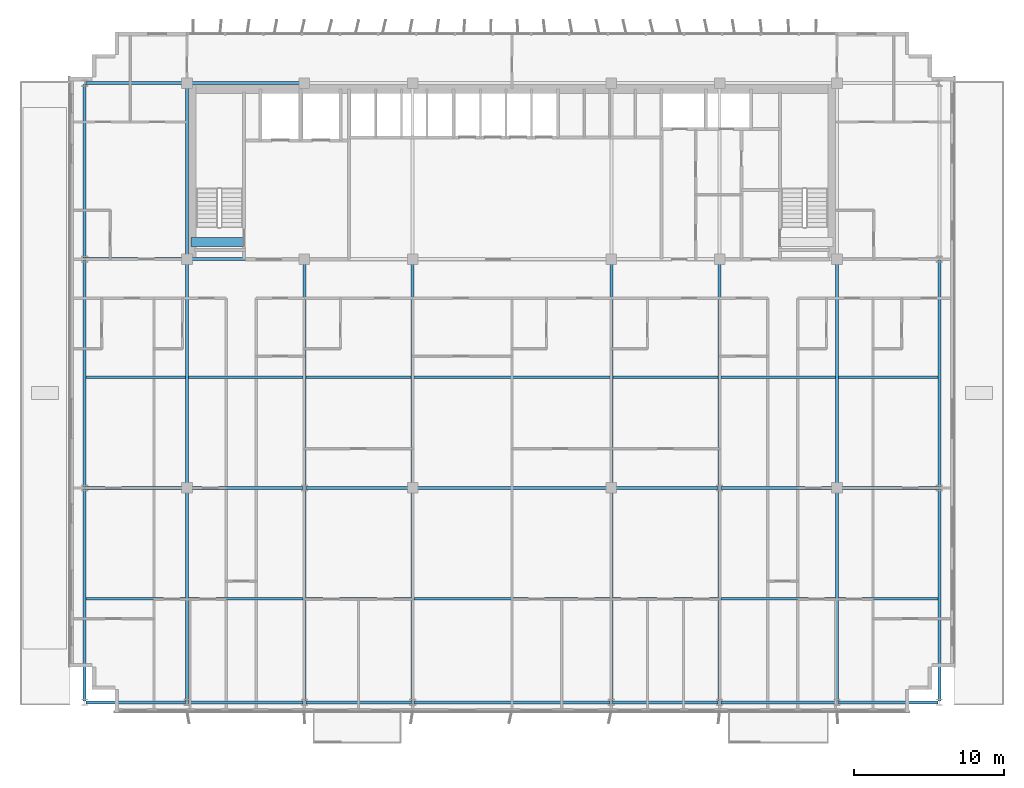
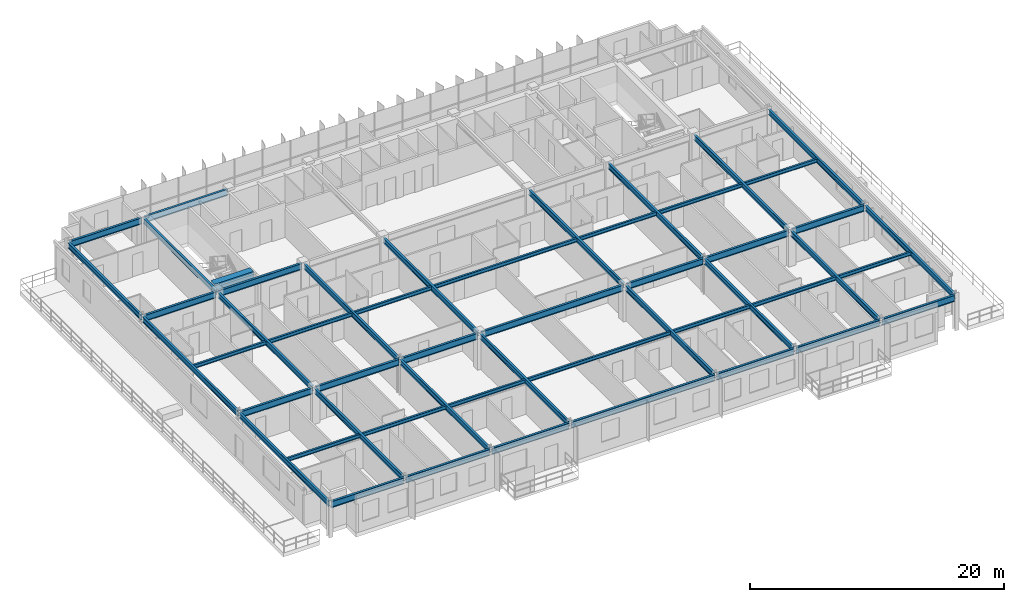
# One storey, part 3 of 22: 51 beams.
"""IFC4 building model written with IfcOpenShell, lengths in metres."""

from ifc_helpers import new_model, si_unit, direction, frame, origin, origin_2d, place, context, subcontext, project, spatial, rectangle, i_section, extrude, source, transform, mapped, material, material_profile, profile_set, type_object, element, save


model = new_model("IFC4")

# Units and contexts
model_context = context("Model", 3, precision=1e-05, world=origin(), true_north=direction((0.0, 1.0)))
body_context = subcontext(model_context, "Body", "Model", "MODEL_VIEW")
ifc_project = project(units=[si_unit("LENGTHUNIT", "METRE"), si_unit("AREAUNIT", "SQUARE_METRE"), si_unit("VOLUMEUNIT", "CUBIC_METRE"), si_unit("PLANEANGLEUNIT", "RADIAN"), si_unit("MASSUNIT", "GRAM", prefix="KILO")], contexts=[model_context])

# Site, building, storey
site_placement = place(None, origin())
site = spatial("IfcSite", under=ifc_project, at=site_placement, CompositionType="ELEMENT")
building_placement = place(site_placement, origin())
building = spatial("IfcBuilding", under=site, at=building_placement, Name="Trelvane Seafront Commons", CompositionType="ELEMENT")
storey_placement = place(building_placement, frame((0.0, 0.0, 132.10009765625)))
storey = spatial("IfcBuildingStorey", under=building, at=storey_placement, Name="L34", CompositionType="ELEMENT", Elevation=132.10009765625)

# Beams
ifc_material_1 = material(Name="Concrete C60/75", Category="concrete")
ifc_material_profile_1 = material_profile(ifc_material_1, rectangle(XDim=0.60009765625, YDim=0.89990234375, at=origin_2d()), Name="RC-600x900")
ifc_profile_set_1 = profile_set([ifc_material_profile_1], Name="Concrete C60/75")
beam_type_1 = type_object("IfcBeamType", Name="STR-LNT-RC600x900", PredefinedType="LINTEL", material=ifc_profile_set_1)
shared_shape_1 = source(origin(), body_context, "Body", "SweptSolid", [
    extrude(rectangle(XDim=0.60009765625, YDim=0.89990234375, at=origin_2d()), origin(), (0.0, 0.0, 1.0), 3.5498046875),
])
beam_1_placement = place(storey_placement, frame((15.85009765625, 34.550048828125, 2.89990234375), z_axis=(1.0, 0.0, 0.0), x_axis=(0.0, 1.0, 0.0)))
element("IfcBeam", 1, at=beam_1_placement, inside=storey, type_object=beam_type_1, Name="L34 Core Coupling Lintel Beam CB-67", PredefinedType="LINTEL", context=body_context, shape_type="MappedRepresentation", body=[
    mapped(shared_shape_1, transform((0.0, 0.0, 0.0), x_axis=(1.0, 0.0, 0.0), y_axis=(0.0, 1.0, 0.0), z_axis=(0.0, 0.0, 1.0), scale=1.0)),
])
ifc_material_2 = material(Name="Steel SM355 (S355)", Category="steel")
ifc_material_profile_2 = material_profile(ifc_material_2, i_section(OverallWidth=0.199951171875, OverallDepth=0.5, WebThickness=0.010009765625, FlangeThickness=0.01611328125, at=origin_2d()), Name="H-500x200x10x16")
ifc_profile_set_2 = profile_set([ifc_material_profile_2], Name="Steel SM355 (S355)")
beam_type_2 = type_object("IfcBeamType", Name="STR-BM-H500", PredefinedType="BEAM", material=ifc_profile_set_2)
shared_shape_2 = source(origin(), body_context, "Body", "SweptSolid", [
    extrude(i_section(OverallWidth=0.199951171875, OverallDepth=0.5, WebThickness=0.010009765625, FlangeThickness=0.01611328125, at=origin_2d()), origin(), (0.0, 0.0, 1.0), 14.89990234375),
])
for number, where, z_axis, x_axis, name in (
    (2, (15.60009765625, 18.35009765625, 3.099853515625), (0.0, 1.0, 0.0), (-1.0, 0.0, 0.0), "L34 Primary Girder G-33"),
    (3, (30.60009765625, 18.35009765625, 3.099853515625), (0.0, 1.0, 0.0), (-1.0, 0.0, 0.0), "L34 Primary Girder G-39"),
    (4, (43.800048828125, 18.35009765625, 3.099853515625), (0.0, 1.0, 0.0), (-1.0, 0.0, 0.0), "L34 Primary Girder G-42"),
    (5, (58.800048828125, 18.35009765625, 3.099853515625), (0.0, 1.0, 0.0), (-1.0, 0.0, 0.0), "L34 Primary Girder G-48"),
):
    element("IfcBeam", number, at=place(storey_placement, frame(where, z_axis=z_axis, x_axis=x_axis)), inside=storey, type_object=beam_type_2, Name=name, PredefinedType="BEAM", context=body_context, shape_type="MappedRepresentation", body=[
        mapped(shared_shape_2, transform((0.0, 0.0, 0.0), x_axis=(1.0, 0.0, 0.0), y_axis=(0.0, 1.0, 0.0), z_axis=(0.0, 0.0, 1.0), scale=1.0)),
    ])
shared_shape_3 = source(origin(), body_context, "Body", "SweptSolid", [
    extrude(i_section(OverallWidth=0.199951171875, OverallDepth=0.5, WebThickness=0.010009765625, FlangeThickness=0.01611328125, at=origin_2d()), origin(), (0.0, 0.0, 1.0), 11.39990234375),
])
beam_2_placement = place(storey_placement, frame((15.60009765625, 33.550048828125, 3.099853515625), z_axis=(0.0, 1.0, 0.0), x_axis=(-1.0, 0.0, 0.0)))
element("IfcBeam", 6, at=beam_2_placement, inside=storey, type_object=beam_type_2, Name="L34 Primary Girder G-34", PredefinedType="BEAM", context=body_context, shape_type="MappedRepresentation", body=[
    mapped(shared_shape_3, transform((0.0, 0.0, 0.0), x_axis=(1.0, 0.0, 0.0), y_axis=(0.0, 1.0, 0.0), z_axis=(0.0, 0.0, 1.0), scale=1.0)),
])
ifc_material_profile_3 = material_profile(ifc_material_2, i_section(OverallWidth=0.175048828125, OverallDepth=0.35009765625, WebThickness=0.007080078125, FlangeThickness=0.010986328125, at=origin_2d()), Name="H-350x175x7x11")
ifc_profile_set_3 = profile_set([ifc_material_profile_3], Name="Steel SM355 (S355)")
beam_type_3 = type_object("IfcBeamType", Name="STR-JST-H350", PredefinedType="JOIST", material=ifc_profile_set_3)
shared_shape_4 = source(origin(), body_context, "Body", "SweptSolid", [
    extrude(i_section(OverallWidth=0.175048828125, OverallDepth=0.35009765625, WebThickness=0.007080078125, FlangeThickness=0.010986328125, at=origin_2d()), origin(), (0.0, 0.0, 1.0), 6.60009765625),
])
for number, where, z_axis, x_axis, name in (
    (7, (8.89990234375, 10.824951171875, 3.1748046875), (1.0, 0.0, 0.0), (0.0, 1.0, 0.0), "L34 Secondary Floor Joist B-53"),
    (8, (58.89990234375, 10.824951171875, 3.1748046875), (1.0, 0.0, 0.0), (0.0, 1.0, 0.0), "L34 Secondary Floor Joist B-59"),
    (9, (8.89990234375, 25.550048828125, 3.1748046875), (1.0, 0.0, 0.0), (0.0, 1.0, 0.0), "L34 Secondary Floor Joist B-60"),
    (10, (58.89990234375, 25.550048828125, 3.1748046875), (1.0, 0.0, 0.0), (0.0, 1.0, 0.0), "L34 Secondary Floor Joist B-66"),
):
    element("IfcBeam", number, at=place(storey_placement, frame(where, z_axis=z_axis, x_axis=x_axis)), inside=storey, type_object=beam_type_3, Name=name, PredefinedType="JOIST", context=body_context, shape_type="MappedRepresentation", body=[
        mapped(shared_shape_4, transform((0.0, 0.0, 0.0), x_axis=(1.0, 0.0, 0.0), y_axis=(0.0, 1.0, 0.0), z_axis=(0.0, 0.0, 1.0), scale=1.0)),
    ])
shared_shape_5 = source(origin(), body_context, "Body", "SweptSolid", [
    extrude(i_section(OverallWidth=0.175048828125, OverallDepth=0.35009765625, WebThickness=0.007080078125, FlangeThickness=0.010986328125, at=origin_2d()), origin(), (0.0, 0.0, 1.0), 7.60009765625),
])
for number, where, z_axis, x_axis, name in (
    (11, (15.699951171875, 10.824951171875, 3.1748046875), (1.0, 0.0, 0.0), (0.0, 1.0, 0.0), "L34 Secondary Floor Joist B-54"),
    (12, (15.699951171875, 25.550048828125, 3.1748046875), (1.0, 0.0, 0.0), (0.0, 1.0, 0.0), "L34 Secondary Floor Joist B-61"),
):
    element("IfcBeam", number, at=place(storey_placement, frame(where, z_axis=z_axis, x_axis=x_axis)), inside=storey, type_object=beam_type_3, Name=name, PredefinedType="JOIST", context=body_context, shape_type="MappedRepresentation", body=[
        mapped(shared_shape_5, transform((0.0, 0.0, 0.0), x_axis=(1.0, 0.0, 0.0), y_axis=(0.0, 1.0, 0.0), z_axis=(0.0, 0.0, 1.0), scale=1.0)),
    ])
shared_shape_6 = source(origin(), body_context, "Body", "SweptSolid", [
    extrude(i_section(OverallWidth=0.175048828125, OverallDepth=0.35009765625, WebThickness=0.007080078125, FlangeThickness=0.010986328125, at=origin_2d()), origin(), (0.0, 0.0, 1.0), 7.0),
])
for number, where, z_axis, x_axis, name in (
    (13, (23.5, 10.824951171875, 3.1748046875), (1.0, 0.0, 0.0), (0.0, 1.0, 0.0), "L34 Secondary Floor Joist B-55"),
    (14, (43.89990234375, 10.824951171875, 3.1748046875), (1.0, 0.0, 0.0), (0.0, 1.0, 0.0), "L34 Secondary Floor Joist B-57"),
    (15, (23.5, 25.550048828125, 3.1748046875), (1.0, 0.0, 0.0), (0.0, 1.0, 0.0), "L34 Secondary Floor Joist B-62"),
    (16, (43.89990234375, 25.550048828125, 3.1748046875), (1.0, 0.0, 0.0), (0.0, 1.0, 0.0), "L34 Secondary Floor Joist B-64"),
):
    element("IfcBeam", number, at=place(storey_placement, frame(where, z_axis=z_axis, x_axis=x_axis)), inside=storey, type_object=beam_type_3, Name=name, PredefinedType="JOIST", context=body_context, shape_type="MappedRepresentation", body=[
        mapped(shared_shape_6, transform((0.0, 0.0, 0.0), x_axis=(1.0, 0.0, 0.0), y_axis=(0.0, 1.0, 0.0), z_axis=(0.0, 0.0, 1.0), scale=1.0)),
    ])
shared_shape_7 = source(origin(), body_context, "Body", "SweptSolid", [
    extrude(i_section(OverallWidth=0.175048828125, OverallDepth=0.35009765625, WebThickness=0.007080078125, FlangeThickness=0.010986328125, at=origin_2d()), origin(), (0.0, 0.0, 1.0), 13.0),
])
for number, where, z_axis, x_axis, name in (
    (17, (30.699951171875, 10.824951171875, 3.1748046875), (1.0, 0.0, 0.0), (0.0, 1.0, 0.0), "L34 Secondary Floor Joist B-56"),
    (18, (30.699951171875, 25.550048828125, 3.1748046875), (1.0, 0.0, 0.0), (0.0, 1.0, 0.0), "L34 Secondary Floor Joist B-63"),
):
    element("IfcBeam", number, at=place(storey_placement, frame(where, z_axis=z_axis, x_axis=x_axis)), inside=storey, type_object=beam_type_3, Name=name, PredefinedType="JOIST", context=body_context, shape_type="MappedRepresentation", body=[
        mapped(shared_shape_7, transform((0.0, 0.0, 0.0), x_axis=(1.0, 0.0, 0.0), y_axis=(0.0, 1.0, 0.0), z_axis=(0.0, 0.0, 1.0), scale=1.0)),
    ])
shared_shape_8 = source(origin(), body_context, "Body", "SweptSolid", [
    extrude(i_section(OverallWidth=0.175048828125, OverallDepth=0.35009765625, WebThickness=0.007080078125, FlangeThickness=0.010986328125, at=origin_2d()), origin(), (0.0, 0.0, 1.0), 7.599853515625),
])
for number, where, z_axis, x_axis, name in (
    (19, (51.10009765625, 10.824951171875, 3.1748046875), (1.0, 0.0, 0.0), (0.0, 1.0, 0.0), "L34 Secondary Floor Joist B-58"),
    (20, (51.10009765625, 25.550048828125, 3.1748046875), (1.0, 0.0, 0.0), (0.0, 1.0, 0.0), "L34 Secondary Floor Joist B-65"),
):
    element("IfcBeam", number, at=place(storey_placement, frame(where, z_axis=z_axis, x_axis=x_axis)), inside=storey, type_object=beam_type_3, Name=name, PredefinedType="JOIST", context=body_context, shape_type="MappedRepresentation", body=[
        mapped(shared_shape_8, transform((0.0, 0.0, 0.0), x_axis=(1.0, 0.0, 0.0), y_axis=(0.0, 1.0, 0.0), z_axis=(0.0, 0.0, 1.0), scale=1.0)),
    ])
ifc_material_profile_4 = material_profile(ifc_material_2, i_section(OverallWidth=0.199951171875, OverallDepth=0.60009765625, WebThickness=0.010986328125, FlangeThickness=0.01708984375, at=origin_2d()), Name="H-600x200x11x17")
ifc_profile_set_4 = profile_set([ifc_material_profile_4], Name="Steel SM355 (S355)")
beam_type_4 = type_object("IfcBeamType", Name="STR-SPD-H600", PredefinedType="SPANDREL", material=ifc_profile_set_4)
shared_shape_9 = source(origin(), body_context, "Body", "SweptSolid", [
    extrude(i_section(OverallWidth=0.199951171875, OverallDepth=0.60009765625, WebThickness=0.010986328125, FlangeThickness=0.01708984375, at=origin_2d()), origin(), (0.0, 0.0, 1.0), 6.60986328125),
])
for number, where, z_axis, x_axis, name in (
    (21, (8.89501953125, 3.949951171875, 3.0498046875), (1.0, 0.0, 0.0), (0.0, 1.0, 0.0), "L34 Primary Girder G-01"),
    (22, (58.89501953125, 3.949951171875, 3.0498046875), (1.0, 0.0, 0.0), (0.0, 1.0, 0.0), "L34 Primary Girder G-07"),
):
    element("IfcBeam", number, at=place(storey_placement, frame(where, z_axis=z_axis, x_axis=x_axis)), inside=storey, type_object=beam_type_4, Name=name, PredefinedType="SPANDREL", context=body_context, shape_type="MappedRepresentation", body=[
        mapped(shared_shape_9, transform((0.0, 0.0, 0.0), x_axis=(1.0, 0.0, 0.0), y_axis=(0.0, 1.0, 0.0), z_axis=(0.0, 0.0, 1.0), scale=1.0)),
    ])
shared_shape_10 = source(origin(), body_context, "Body", "SweptSolid", [
    extrude(i_section(OverallWidth=0.199951171875, OverallDepth=0.60009765625, WebThickness=0.010986328125, FlangeThickness=0.01708984375, at=origin_2d()), origin(), (0.0, 0.0, 1.0), 7.60986328125),
])
beam_3_placement = place(storey_placement, frame((15.695068359375, 3.949951171875, 3.0498046875), z_axis=(1.0, 0.0, 0.0), x_axis=(0.0, 1.0, 0.0)))
element("IfcBeam", 23, at=beam_3_placement, inside=storey, type_object=beam_type_4, Name="L34 Primary Girder G-02", PredefinedType="SPANDREL", context=body_context, shape_type="MappedRepresentation", body=[
    mapped(shared_shape_10, transform((0.0, 0.0, 0.0), x_axis=(1.0, 0.0, 0.0), y_axis=(0.0, 1.0, 0.0), z_axis=(0.0, 0.0, 1.0), scale=1.0)),
])
shared_shape_11 = source(origin(), body_context, "Body", "SweptSolid", [
    extrude(i_section(OverallWidth=0.199951171875, OverallDepth=0.60009765625, WebThickness=0.010986328125, FlangeThickness=0.01708984375, at=origin_2d()), origin(), (0.0, 0.0, 1.0), 7.009765625),
])
beam_4_placement = place(storey_placement, frame((23.4951171875, 3.949951171875, 3.0498046875), z_axis=(1.0, 0.0, 0.0), x_axis=(0.0, 1.0, 0.0)))
element("IfcBeam", 24, at=beam_4_placement, inside=storey, type_object=beam_type_4, Name="L34 Primary Girder G-03", PredefinedType="SPANDREL", context=body_context, shape_type="MappedRepresentation", body=[
    mapped(shared_shape_11, transform((0.0, 0.0, 0.0), x_axis=(1.0, 0.0, 0.0), y_axis=(0.0, 1.0, 0.0), z_axis=(0.0, 0.0, 1.0), scale=1.0)),
])
shared_shape_12 = source(origin(), body_context, "Body", "SweptSolid", [
    extrude(i_section(OverallWidth=0.199951171875, OverallDepth=0.60009765625, WebThickness=0.010986328125, FlangeThickness=0.01708984375, at=origin_2d()), origin(), (0.0, 0.0, 1.0), 13.010009765625),
])
beam_5_placement = place(storey_placement, frame((30.695068359375, 3.949951171875, 3.0498046875), z_axis=(1.0, 0.0, 0.0), x_axis=(0.0, 1.0, 0.0)))
element("IfcBeam", 25, at=beam_5_placement, inside=storey, type_object=beam_type_4, Name="L34 Primary Girder G-04", PredefinedType="SPANDREL", context=body_context, shape_type="MappedRepresentation", body=[
    mapped(shared_shape_12, transform((0.0, 0.0, 0.0), x_axis=(1.0, 0.0, 0.0), y_axis=(0.0, 1.0, 0.0), z_axis=(0.0, 0.0, 1.0), scale=1.0)),
])
shared_shape_13 = source(origin(), body_context, "Body", "SweptSolid", [
    extrude(i_section(OverallWidth=0.199951171875, OverallDepth=0.60009765625, WebThickness=0.010986328125, FlangeThickness=0.01708984375, at=origin_2d()), origin(), (0.0, 0.0, 1.0), 7.010009765625),
])
beam_6_placement = place(storey_placement, frame((43.89501953125, 3.949951171875, 3.0498046875), z_axis=(1.0, 0.0, 0.0), x_axis=(0.0, 1.0, 0.0)))
element("IfcBeam", 26, at=beam_6_placement, inside=storey, type_object=beam_type_4, Name="L34 Primary Girder G-05", PredefinedType="SPANDREL", context=body_context, shape_type="MappedRepresentation", body=[
    mapped(shared_shape_13, transform((0.0, 0.0, 0.0), x_axis=(1.0, 0.0, 0.0), y_axis=(0.0, 1.0, 0.0), z_axis=(0.0, 0.0, 1.0), scale=1.0)),
])
shared_shape_14 = source(origin(), body_context, "Body", "SweptSolid", [
    extrude(i_section(OverallWidth=0.199951171875, OverallDepth=0.60009765625, WebThickness=0.010986328125, FlangeThickness=0.01708984375, at=origin_2d()), origin(), (0.0, 0.0, 1.0), 7.610107421875),
])
beam_7_placement = place(storey_placement, frame((51.094970703125, 3.949951171875, 3.0498046875), z_axis=(1.0, 0.0, 0.0), x_axis=(0.0, 1.0, 0.0)))
element("IfcBeam", 27, at=beam_7_placement, inside=storey, type_object=beam_type_4, Name="L34 Primary Girder G-06", PredefinedType="SPANDREL", context=body_context, shape_type="MappedRepresentation", body=[
    mapped(shared_shape_14, transform((0.0, 0.0, 0.0), x_axis=(1.0, 0.0, 0.0), y_axis=(0.0, 1.0, 0.0), z_axis=(0.0, 0.0, 1.0), scale=1.0)),
])
shared_shape_15 = source(origin(), body_context, "Body", "SweptSolid", [
    extrude(i_section(OverallWidth=0.199951171875, OverallDepth=0.60009765625, WebThickness=0.010986328125, FlangeThickness=0.01708984375, at=origin_2d()), origin(), (0.0, 0.0, 1.0), 6.554931640625),
])
for number, where, z_axis, x_axis, name in (
    (28, (8.89501953125, 18.199951171875, 3.0498046875), (1.0, 0.0, 0.0), (0.0, 1.0, 0.0), "L34 Primary Girder G-08"),
    (29, (58.949951171875, 18.199951171875, 3.0498046875), (1.0, 0.0, 0.0), (0.0, 1.0, 0.0), "L34 Primary Girder G-14"),
    (30, (8.89501953125, 33.39990234375, 3.0498046875), (1.0, 0.0, 0.0), (0.0, 1.0, 0.0), "L34 Primary Girder G-15"),
    (31, (8.89501953125, 45.10009765625, 3.0498046875), (1.0, 0.0, 0.0), (0.0, 1.0, 0.0), "L34 Primary Girder G-22"),
):
    element("IfcBeam", number, at=place(storey_placement, frame(where, z_axis=z_axis, x_axis=x_axis)), inside=storey, type_object=beam_type_4, Name=name, PredefinedType="SPANDREL", context=body_context, shape_type="MappedRepresentation", body=[
        mapped(shared_shape_15, transform((0.0, 0.0, 0.0), x_axis=(1.0, 0.0, 0.0), y_axis=(0.0, 1.0, 0.0), z_axis=(0.0, 0.0, 1.0), scale=1.0)),
    ])
shared_shape_16 = source(origin(), body_context, "Body", "SweptSolid", [
    extrude(i_section(OverallWidth=0.199951171875, OverallDepth=0.60009765625, WebThickness=0.010986328125, FlangeThickness=0.01708984375, at=origin_2d()), origin(), (0.0, 0.0, 1.0), 7.554931640625),
])
for number, where, z_axis, x_axis, name in (
    (32, (15.75, 18.199951171875, 3.0498046875), (1.0, 0.0, 0.0), (0.0, 1.0, 0.0), "L34 Primary Girder G-09"),
    (33, (51.094970703125, 18.199951171875, 3.0498046875), (1.0, 0.0, 0.0), (0.0, 1.0, 0.0), "L34 Primary Girder G-13"),
):
    element("IfcBeam", number, at=place(storey_placement, frame(where, z_axis=z_axis, x_axis=x_axis)), inside=storey, type_object=beam_type_4, Name=name, PredefinedType="SPANDREL", context=body_context, shape_type="MappedRepresentation", body=[
        mapped(shared_shape_16, transform((0.0, 0.0, 0.0), x_axis=(1.0, 0.0, 0.0), y_axis=(0.0, 1.0, 0.0), z_axis=(0.0, 0.0, 1.0), scale=1.0)),
    ])
shared_shape_17 = source(origin(), body_context, "Body", "SweptSolid", [
    extrude(i_section(OverallWidth=0.199951171875, OverallDepth=0.60009765625, WebThickness=0.010986328125, FlangeThickness=0.01708984375, at=origin_2d()), origin(), (0.0, 0.0, 1.0), 6.954833984375),
])
beam_8_placement = place(storey_placement, frame((23.4951171875, 18.199951171875, 3.0498046875), z_axis=(1.0, 0.0, 0.0), x_axis=(0.0, 1.0, 0.0)))
element("IfcBeam", 34, at=beam_8_placement, inside=storey, type_object=beam_type_4, Name="L34 Primary Girder G-10", PredefinedType="SPANDREL", context=body_context, shape_type="MappedRepresentation", body=[
    mapped(shared_shape_17, transform((0.0, 0.0, 0.0), x_axis=(1.0, 0.0, 0.0), y_axis=(0.0, 1.0, 0.0), z_axis=(0.0, 0.0, 1.0), scale=1.0)),
])
shared_shape_18 = source(origin(), body_context, "Body", "SweptSolid", [
    extrude(i_section(OverallWidth=0.199951171875, OverallDepth=0.60009765625, WebThickness=0.010986328125, FlangeThickness=0.01708984375, at=origin_2d()), origin(), (0.0, 0.0, 1.0), 12.89990234375),
])
beam_9_placement = place(storey_placement, frame((30.75, 18.199951171875, 3.0498046875), z_axis=(1.0, 0.0, 0.0), x_axis=(0.0, 1.0, 0.0)))
element("IfcBeam", 35, at=beam_9_placement, inside=storey, type_object=beam_type_4, Name="L34 Primary Girder G-11", PredefinedType="SPANDREL", context=body_context, shape_type="MappedRepresentation", body=[
    mapped(shared_shape_18, transform((0.0, 0.0, 0.0), x_axis=(1.0, 0.0, 0.0), y_axis=(0.0, 1.0, 0.0), z_axis=(0.0, 0.0, 1.0), scale=1.0)),
])
shared_shape_19 = source(origin(), body_context, "Body", "SweptSolid", [
    extrude(i_section(OverallWidth=0.199951171875, OverallDepth=0.60009765625, WebThickness=0.010986328125, FlangeThickness=0.01708984375, at=origin_2d()), origin(), (0.0, 0.0, 1.0), 6.955078125),
])
beam_10_placement = place(storey_placement, frame((43.949951171875, 18.199951171875, 3.0498046875), z_axis=(1.0, 0.0, 0.0), x_axis=(0.0, 1.0, 0.0)))
element("IfcBeam", 36, at=beam_10_placement, inside=storey, type_object=beam_type_4, Name="L34 Primary Girder G-12", PredefinedType="SPANDREL", context=body_context, shape_type="MappedRepresentation", body=[
    mapped(shared_shape_19, transform((0.0, 0.0, 0.0), x_axis=(1.0, 0.0, 0.0), y_axis=(0.0, 1.0, 0.0), z_axis=(0.0, 0.0, 1.0), scale=1.0)),
])
shared_shape_20 = source(origin(), body_context, "Body", "SweptSolid", [
    extrude(i_section(OverallWidth=0.199951171875, OverallDepth=0.60009765625, WebThickness=0.010986328125, FlangeThickness=0.01708984375, at=origin_2d()), origin(), (0.0, 0.0, 1.0), 7.5),
])
for number, where, z_axis, x_axis, name in (
    (37, (15.75, 33.39990234375, 3.0498046875), (1.0, 0.0, 0.0), (0.0, 1.0, 0.0), "L34 Primary Girder G-16"),
    (38, (15.75, 45.10009765625, 3.0498046875), (1.0, 0.0, 0.0), (0.0, 1.0, 0.0), "L34 Primary Girder G-23"),
):
    element("IfcBeam", number, at=place(storey_placement, frame(where, z_axis=z_axis, x_axis=x_axis)), inside=storey, type_object=beam_type_4, Name=name, PredefinedType="SPANDREL", context=body_context, shape_type="MappedRepresentation", body=[
        mapped(shared_shape_20, transform((0.0, 0.0, 0.0), x_axis=(1.0, 0.0, 0.0), y_axis=(0.0, 1.0, 0.0), z_axis=(0.0, 0.0, 1.0), scale=1.0)),
    ])
shared_shape_21 = source(origin(), body_context, "Body", "SweptSolid", [
    extrude(i_section(OverallWidth=0.199951171875, OverallDepth=0.5, WebThickness=0.010009765625, FlangeThickness=0.01611328125, at=origin_2d()), origin(), (0.0, 0.0, 1.0), 14.06005859375),
])
for number, where, z_axis, x_axis, name in (
    (39, (8.800048828125, 4.044921875, 3.099853515625), (0.0, 1.0, 0.0), (-1.0, 0.0, 0.0), "L34 Primary Girder G-29"),
    (40, (23.39990234375, 4.044921875, 3.099853515625), (0.0, 1.0, 0.0), (-1.0, 0.0, 0.0), "L34 Primary Girder G-35"),
    (41, (51.0, 4.044921875, 3.099853515625), (0.0, 1.0, 0.0), (-1.0, 0.0, 0.0), "L34 Primary Girder G-44"),
    (42, (65.60009765625, 4.044921875, 3.099853515625), (0.0, 1.0, 0.0), (-1.0, 0.0, 0.0), "L34 Primary Girder G-50"),
):
    element("IfcBeam", number, at=place(storey_placement, frame(where, z_axis=z_axis, x_axis=x_axis)), inside=storey, type_object=beam_type_2, Name=name, PredefinedType="BEAM", context=body_context, shape_type="MappedRepresentation", body=[
        mapped(shared_shape_21, transform((0.0, 0.0, 0.0), x_axis=(1.0, 0.0, 0.0), y_axis=(0.0, 1.0, 0.0), z_axis=(0.0, 0.0, 1.0), scale=1.0)),
    ])
shared_shape_22 = source(origin(), body_context, "Body", "SweptSolid", [
    extrude(i_section(OverallWidth=0.199951171875, OverallDepth=0.5, WebThickness=0.010009765625, FlangeThickness=0.01611328125, at=origin_2d()), origin(), (0.0, 0.0, 1.0), 15.010009765625),
])
for number, where, z_axis, x_axis, name in (
    (43, (8.800048828125, 18.294921875, 3.099853515625), (0.0, 1.0, 0.0), (-1.0, 0.0, 0.0), "L34 Primary Girder G-30"),
    (44, (65.60009765625, 18.294921875, 3.099853515625), (0.0, 1.0, 0.0), (-1.0, 0.0, 0.0), "L34 Primary Girder G-51"),
):
    element("IfcBeam", number, at=place(storey_placement, frame(where, z_axis=z_axis, x_axis=x_axis)), inside=storey, type_object=beam_type_2, Name=name, PredefinedType="BEAM", context=body_context, shape_type="MappedRepresentation", body=[
        mapped(shared_shape_22, transform((0.0, 0.0, 0.0), x_axis=(1.0, 0.0, 0.0), y_axis=(0.0, 1.0, 0.0), z_axis=(0.0, 0.0, 1.0), scale=1.0)),
    ])
shared_shape_23 = source(origin(), body_context, "Body", "SweptSolid", [
    extrude(i_section(OverallWidth=0.199951171875, OverallDepth=0.5, WebThickness=0.010009765625, FlangeThickness=0.01611328125, at=origin_2d()), origin(), (0.0, 0.0, 1.0), 11.509765625),
])
beam_11_placement = place(storey_placement, frame((8.800048828125, 33.4951171875, 3.099853515625), z_axis=(0.0, 1.0, 0.0), x_axis=(-1.0, 0.0, 0.0)))
element("IfcBeam", 45, at=beam_11_placement, inside=storey, type_object=beam_type_2, Name="L34 Primary Girder G-31", PredefinedType="BEAM", context=body_context, shape_type="MappedRepresentation", body=[
    mapped(shared_shape_23, transform((0.0, 0.0, 0.0), x_axis=(1.0, 0.0, 0.0), y_axis=(0.0, 1.0, 0.0), z_axis=(0.0, 0.0, 1.0), scale=1.0)),
])
shared_shape_24 = source(origin(), body_context, "Body", "SweptSolid", [
    extrude(i_section(OverallWidth=0.199951171875, OverallDepth=0.5, WebThickness=0.010009765625, FlangeThickness=0.01611328125, at=origin_2d()), origin(), (0.0, 0.0, 1.0), 14.005126953125),
])
for number, where, z_axis, x_axis, name in (
    (46, (15.60009765625, 4.044921875, 3.099853515625), (0.0, 1.0, 0.0), (-1.0, 0.0, 0.0), "L34 Primary Girder G-32"),
    (47, (30.60009765625, 4.044921875, 3.099853515625), (0.0, 1.0, 0.0), (-1.0, 0.0, 0.0), "L34 Primary Girder G-38"),
    (48, (43.800048828125, 4.044921875, 3.099853515625), (0.0, 1.0, 0.0), (-1.0, 0.0, 0.0), "L34 Primary Girder G-41"),
    (49, (58.800048828125, 4.044921875, 3.099853515625), (0.0, 1.0, 0.0), (-1.0, 0.0, 0.0), "L34 Primary Girder G-47"),
):
    element("IfcBeam", number, at=place(storey_placement, frame(where, z_axis=z_axis, x_axis=x_axis)), inside=storey, type_object=beam_type_2, Name=name, PredefinedType="BEAM", context=body_context, shape_type="MappedRepresentation", body=[
        mapped(shared_shape_24, transform((0.0, 0.0, 0.0), x_axis=(1.0, 0.0, 0.0), y_axis=(0.0, 1.0, 0.0), z_axis=(0.0, 0.0, 1.0), scale=1.0)),
    ])
shared_shape_25 = source(origin(), body_context, "Body", "SweptSolid", [
    extrude(i_section(OverallWidth=0.199951171875, OverallDepth=0.5, WebThickness=0.010009765625, FlangeThickness=0.01611328125, at=origin_2d()), origin(), (0.0, 0.0, 1.0), 14.955078125),
])
for number, where, z_axis, x_axis, name in (
    (50, (23.39990234375, 18.294921875, 3.099853515625), (0.0, 1.0, 0.0), (-1.0, 0.0, 0.0), "L34 Primary Girder G-36"),
    (51, (51.0, 18.294921875, 3.099853515625), (0.0, 1.0, 0.0), (-1.0, 0.0, 0.0), "L34 Primary Girder G-45"),
):
    element("IfcBeam", number, at=place(storey_placement, frame(where, z_axis=z_axis, x_axis=x_axis)), inside=storey, type_object=beam_type_2, Name=name, PredefinedType="BEAM", context=body_context, shape_type="MappedRepresentation", body=[
        mapped(shared_shape_25, transform((0.0, 0.0, 0.0), x_axis=(1.0, 0.0, 0.0), y_axis=(0.0, 1.0, 0.0), z_axis=(0.0, 0.0, 1.0), scale=1.0)),
    ])

save(model, "model.ifc")
